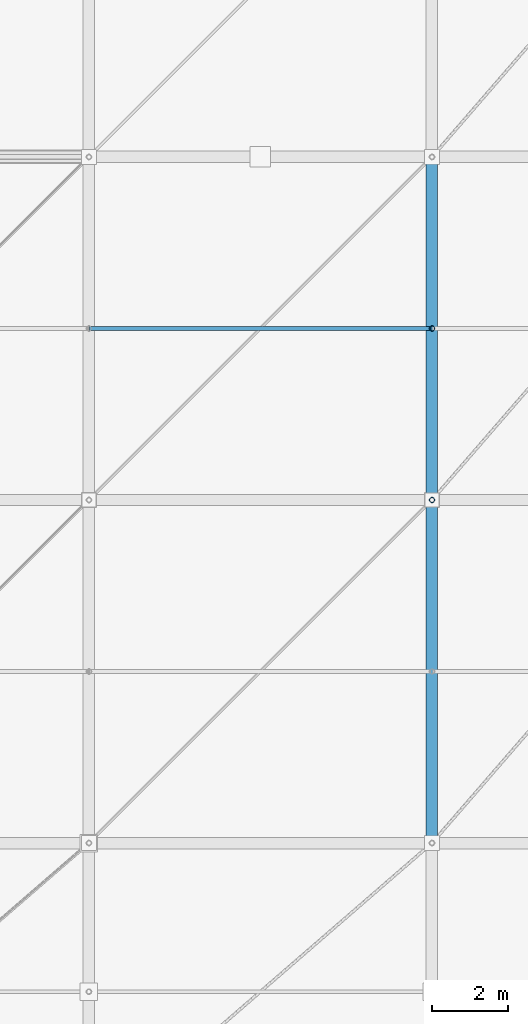
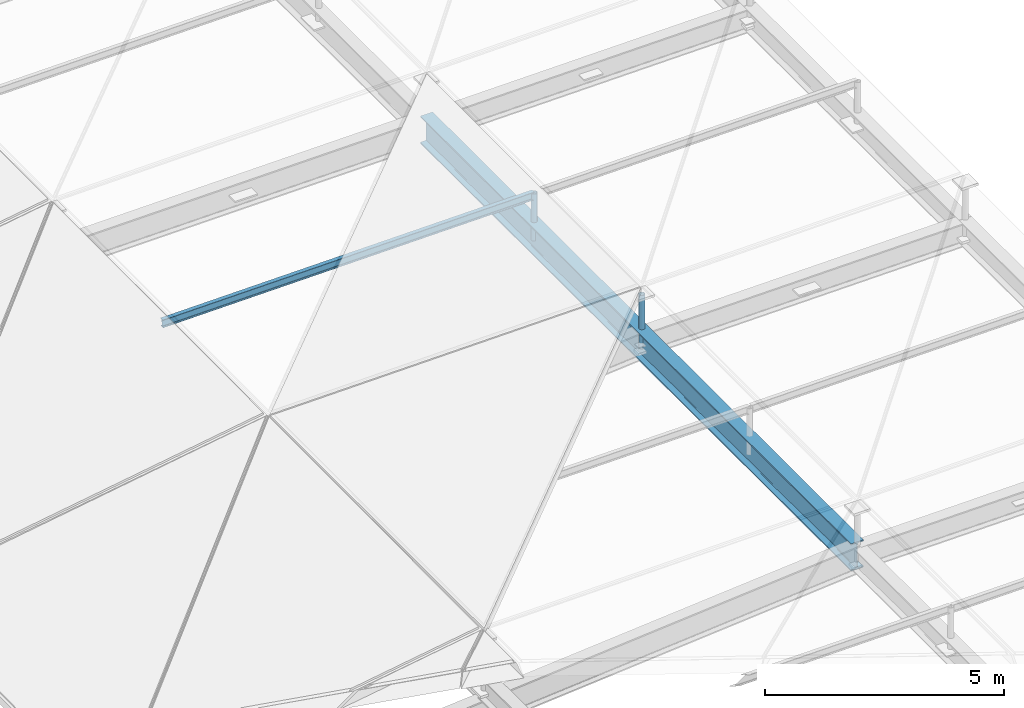
# One storey, part 53 of 80: 3 members, 1 beam.
"""IFC4 building model written with IfcOpenShell, lengths in metres."""

from ifc_helpers import new_model, si_unit, direction, frame, origin, origin_2d, place, context, subcontext, project, spatial, hollow_circle, i_section, extrude, material, material_profile, profile_set, type_object, element, save


model = new_model("IFC4")

# Units and contexts
model_context = context("Model", 3, precision=1e-05, world=origin(), true_north=direction((0.0, 1.0)))
body_context = subcontext(model_context, "Body", "Model", "MODEL_VIEW")
ifc_project = project(units=[si_unit("LENGTHUNIT", "METRE"), si_unit("AREAUNIT", "SQUARE_METRE"), si_unit("VOLUMEUNIT", "CUBIC_METRE"), si_unit("PLANEANGLEUNIT", "RADIAN"), si_unit("MASSUNIT", "GRAM", prefix="KILO")], contexts=[model_context])

# Site, building, storey
site_placement = place(None, origin())
site = spatial("IfcSite", under=ifc_project, at=site_placement, CompositionType="ELEMENT")
building_placement = place(site_placement, origin())
building = spatial("IfcBuilding", under=site, at=building_placement, Name="Barlavento Convention Centre", CompositionType="ELEMENT")
storey_placement = place(building_placement, frame((0.0, 0.0, 29.800048828125)))
storey = spatial("IfcBuildingStorey", under=building, at=storey_placement, Name="RF", CompositionType="ELEMENT", Elevation=29.800048828125)

# Beam
ifc_material_1 = material(Name="Steel S460", Category="steel")
ifc_material_profile_1 = material_profile(ifc_material_1, i_section(OverallWidth=0.300048828125, OverallDepth=0.699951171875, WebThickness=0.01708984375, FlangeThickness=0.031982421875, FilletRadius=0.027099609375, at=origin_2d()), Name="HEB 700")
ifc_profile_set_1 = profile_set([ifc_material_profile_1], Name="Steel S460")
beam_type = type_object("IfcBeamType", Name="STR-BM-TRUSS-TOP-HEB700", PredefinedType="BEAM", material=ifc_profile_set_1)
beam_placement = place(storey_placement, frame((63.0, 0.0048828125, 0.286865234375), z_axis=(0.0, 1.0, 0.0), x_axis=(-1.0, 0.0, 0.0)))
element("IfcBeam", 1, at=beam_placement, inside=storey, type_object=beam_type, Name="Congress roof truss space frame chord", PredefinedType="BEAM", context=body_context, shape_type="SweptSolid", body=[
    extrude(i_section(OverallWidth=0.300048828125, OverallDepth=0.699951171875, WebThickness=0.01708984375, FlangeThickness=0.031982421875, FilletRadius=0.027099609375, at=origin_2d()), origin(), (0.0, 0.0, 1.0), 17.990234375),
])

# Members
ifc_material_2 = material(Name="Steel S355", Category="steel")
ifc_material_profile_2 = material_profile(ifc_material_2, hollow_circle(Radius=0.06982421875, WallThickness=0.008056640625, at=origin_2d()), Name="CHS 139.7x8.0")
ifc_profile_set_2 = profile_set([ifc_material_profile_2], Name="Steel S355")
member_type_1 = type_object("IfcMemberType", Name="STR-MEM-DIAG-CHS139", PredefinedType="BRACE", material=ifc_profile_set_2)
member_1_placement = place(storey_placement, frame((63.0, 9.0, 0.136962890625), z_axis=(0.0, 0.0, 1.0), x_axis=(1.0, 0.0, 0.0)))
element("IfcMember", 2, at=member_1_placement, inside=storey, type_object=member_type_1, Name="Congress space frame vertical node post TD04", PredefinedType="BRACE", context=body_context, shape_type="SweptSolid", body=[
    extrude(hollow_circle(Radius=0.06982421875, WallThickness=0.008056640625, at=origin_2d()), origin(), (0.0, 0.0, 1.0), 1.369873046875),
])
member_2_placement = place(storey_placement, frame((63.0, 13.5, 0.166748046875), z_axis=(0.0, 0.0, 1.0), x_axis=(1.0, 0.0, 0.0)))
element("IfcMember", 3, at=member_2_placement, inside=storey, type_object=member_type_1, Name="Congress space frame vertical node post TD04", PredefinedType="BRACE", context=body_context, shape_type="SweptSolid", body=[
    extrude(hollow_circle(Radius=0.06982421875, WallThickness=0.008056640625, at=origin_2d()), origin(), (0.0, 0.0, 1.0), 1.197509765625),
])
ifc_material_profile_3 = material_profile(ifc_material_2, i_section(OverallWidth=0.10009765625, OverallDepth=0.199951171875, WebThickness=0.005615234375, FlangeThickness=0.008544921875, FilletRadius=0.011962890625, at=origin_2d()), Name="IPE 200")
ifc_profile_set_3 = profile_set([ifc_material_profile_3], Name="Steel S355")
member_type_2 = type_object("IfcMemberType", Name="STR-MEM-PUR-IPE200", PredefinedType="PURLIN", material=ifc_profile_set_3)
member_3_placement = place(storey_placement, frame((54.02001953125, 13.5, 1.178466796875), z_axis=(0.999894555581, 0.0, 0.014521629377), x_axis=(0.0, 1.0, 0.0)))
element("IfcMember", 4, at=member_3_placement, inside=storey, type_object=member_type_2, Name="Congress roof intermediate purlin PR01", PredefinedType="PURLIN", context=body_context, shape_type="SweptSolid", body=[
    extrude(i_section(OverallWidth=0.10009765625, OverallDepth=0.199951171875, WebThickness=0.005615234375, FlangeThickness=0.008544921875, FilletRadius=0.011962890625, at=origin_2d()), origin(), (0.0, 0.0, 1.0), 8.9609375),
])

save(model, "model.ifc")
